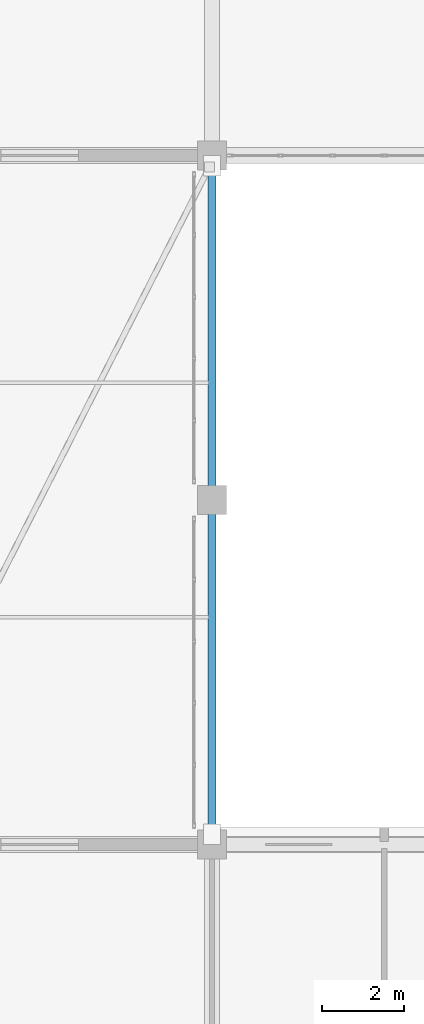
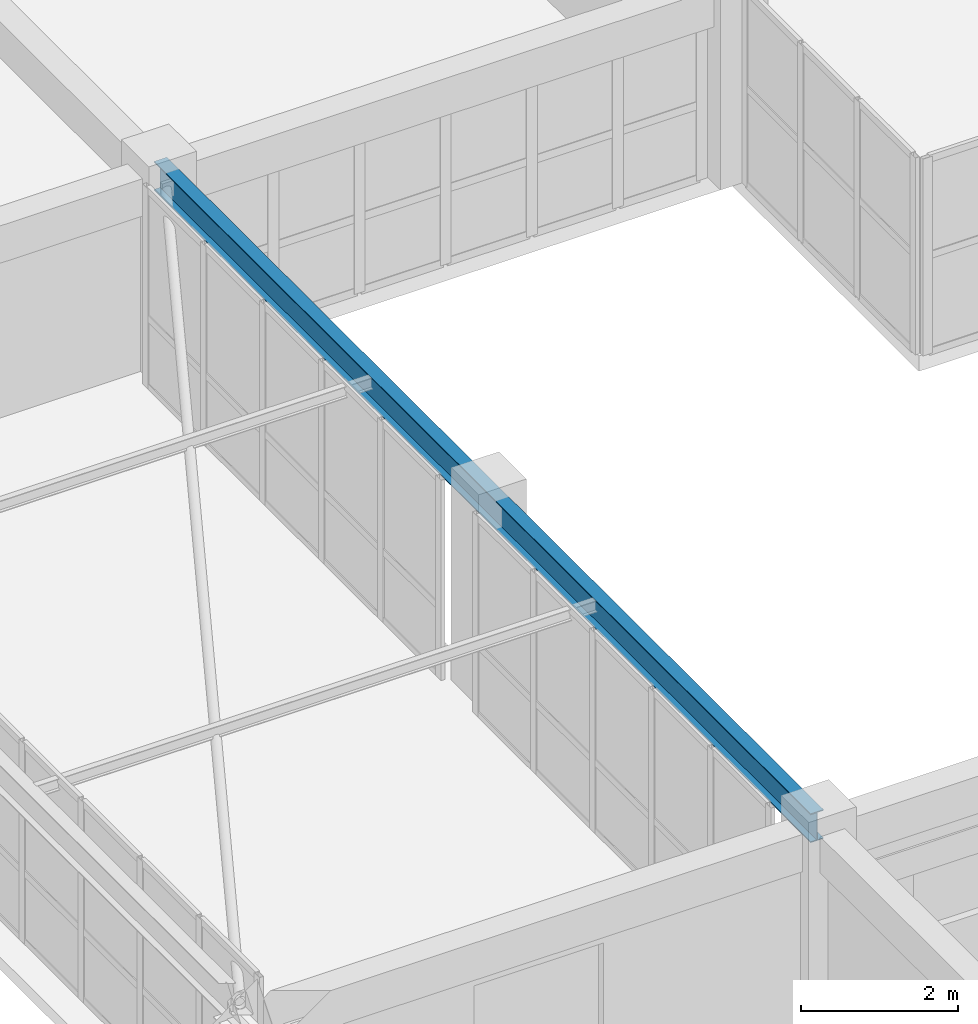
# One storey, part 38 of 148: 1 beam.
"""IFC4 building model written with IfcOpenShell, lengths in metres."""

from ifc_helpers import new_model, si_unit, direction, frame, origin, origin_2d, place, context, subcontext, project, spatial, i_section, extrude, material, material_profile, profile_set, type_object, element, save


model = new_model("IFC4")

# Units and contexts
model_context = context("Model", 3, precision=1e-05, world=origin(), true_north=direction((0.0, 1.0)))
body_context = subcontext(model_context, "Body", "Model", "MODEL_VIEW")
ifc_project = project(units=[si_unit("LENGTHUNIT", "METRE"), si_unit("AREAUNIT", "SQUARE_METRE"), si_unit("VOLUMEUNIT", "CUBIC_METRE"), si_unit("PLANEANGLEUNIT", "RADIAN"), si_unit("MASSUNIT", "GRAM", prefix="KILO")], contexts=[model_context])

# Site, building, storey
site_placement = place(None, origin())
site = spatial("IfcSite", under=ifc_project, at=site_placement, CompositionType="ELEMENT")
building_placement = place(site_placement, origin())
building = spatial("IfcBuilding", under=site, at=building_placement, Name="Trelvath General Hospital", CompositionType="ELEMENT")
storey_placement = place(building_placement, frame((0.0, 0.0, 12.89990234375)))
storey = spatial("IfcBuildingStorey", under=building, at=storey_placement, Name="L03", CompositionType="ELEMENT", Elevation=12.89990234375)

# Beam
ifc_material = material(Name="Steel S355", Category="steel")
ifc_material_profile = material_profile(ifc_material, i_section(OverallWidth=0.18994140625, OverallDepth=0.449951171875, WebThickness=0.009521484375, FlangeThickness=0.0146484375, at=origin_2d()), Name="IPE450")
ifc_profile_set = profile_set([ifc_material_profile], Name="Steel S355")
beam_type = type_object("IfcBeamType", Name="BridgeGirder IPE450", PredefinedType="BEAM", material=ifc_profile_set)
beam_placement = place(storey_placement, frame((84.0, 25.239990234375, 2.885009765625), z_axis=(0.0, 1.0, 0.0), x_axis=(-1.0, 0.0, 0.0)))
element("IfcBeam", 1, at=beam_placement, inside=storey, type_object=beam_type, Name="Bridge Girder BRG-S-C E L04", PredefinedType="BEAM", context=body_context, shape_type="SweptSolid", body=[
    extrude(i_section(OverallWidth=0.18994140625, OverallDepth=0.449951171875, WebThickness=0.009521484375, FlangeThickness=0.0146484375, at=origin_2d()), origin(), (0.0, 0.0, 1.0), 16.719970703125),
])

save(model, "model.ifc")
